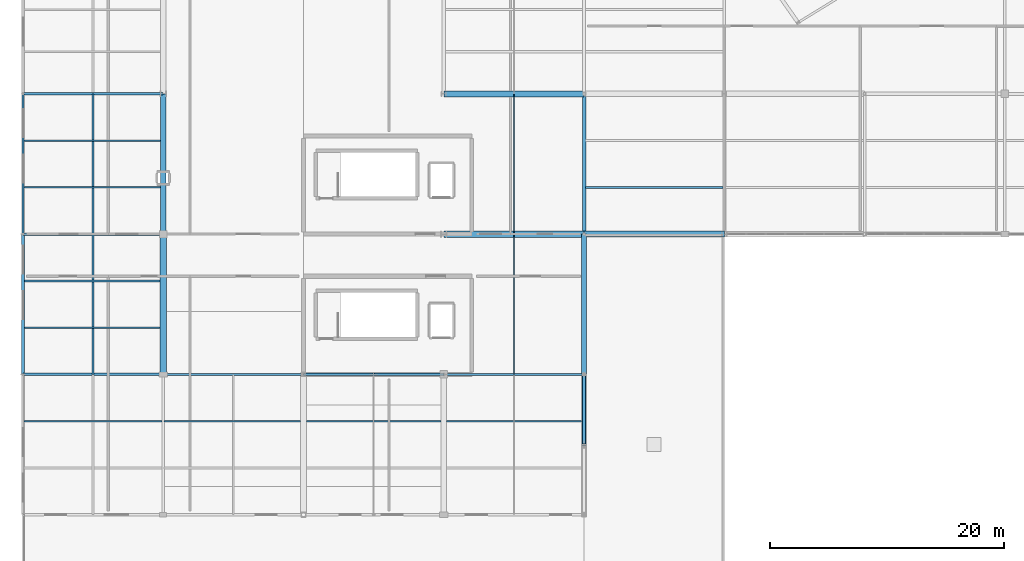
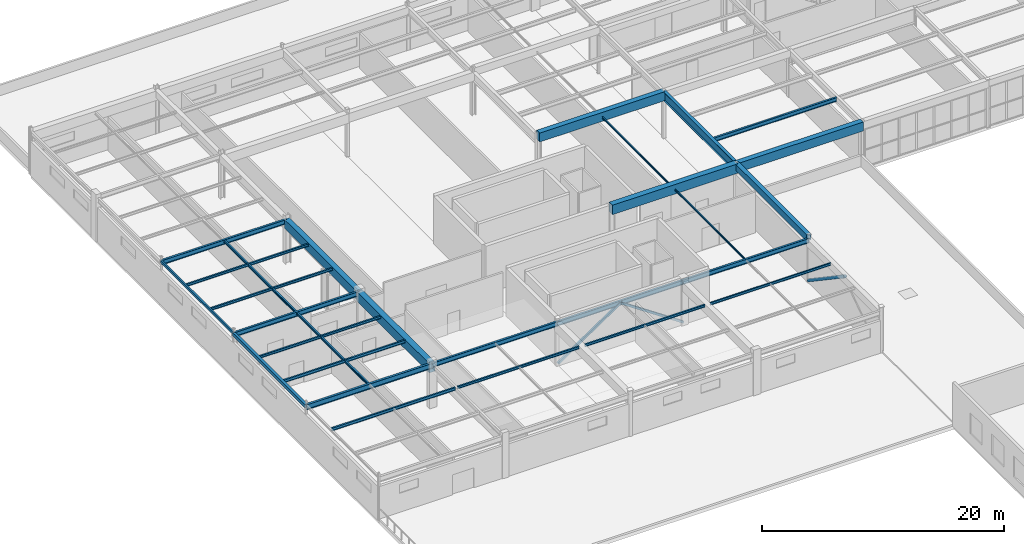
# One storey, part 70 of 186: 24 beams, 7 members.
"""IFC4 building model written with IfcOpenShell, lengths in metres."""

from ifc_helpers import new_model, si_unit, direction, frame, origin, origin_2d, place, context, subcontext, project, spatial, rectangle, hollow_rectangle, hollow_circle, i_section, extrude, material, material_profile, profile_set, type_object, element, save


model = new_model("IFC4")

# Units and contexts
model_context = context("Model", 3, precision=1e-05, world=origin(), true_north=direction((0.0, 1.0)))
body_context = subcontext(model_context, "Body", "Model", "MODEL_VIEW")
ifc_project = project(units=[si_unit("LENGTHUNIT", "METRE"), si_unit("AREAUNIT", "SQUARE_METRE"), si_unit("VOLUMEUNIT", "CUBIC_METRE"), si_unit("PLANEANGLEUNIT", "RADIAN"), si_unit("MASSUNIT", "GRAM", prefix="KILO")], contexts=[model_context])

# Site, building, storey
site_placement = place(None, origin())
site = spatial("IfcSite", under=ifc_project, at=site_placement, CompositionType="ELEMENT")
building_placement = place(site_placement, origin())
building = spatial("IfcBuilding", under=site, at=building_placement, Name="Tarnwether General Hospital", CompositionType="ELEMENT")
storey_placement = place(building_placement, frame((0.0, 0.0, 9.60009765625)))
storey = spatial("IfcBuildingStorey", under=building, at=storey_placement, Name="L02", CompositionType="ELEMENT", Elevation=9.60009765625)

# Beams
ifc_material_1 = material(Name="Steel Grade 350 (350 MPa)", Category="steel")
ifc_material_profile_1 = material_profile(ifc_material_1, i_section(OverallWidth=0.300048828125, OverallDepth=0.89990234375, WebThickness=0.011962890625, FlangeThickness=0.02001953125, at=origin_2d()), Name="900WB175")
ifc_profile_set_1 = profile_set([ifc_material_profile_1], Name="Steel Grade 350 (350 MPa)")
beam_type_1 = type_object("IfcBeamType", Name="BM-G01", PredefinedType="BEAM", material=ifc_profile_set_1)
beam_1_placement = place(storey_placement, frame((48.0, 81.60009765625, 4.349853515625), z_axis=(0.0, 1.0, 0.0), x_axis=(-1.0, 0.0, 0.0)))
element("IfcBeam", 1, at=beam_1_placement, inside=storey, type_object=beam_type_1, Name="Primary Girder BMG-L02-4800_8160-4800_9360-1479", PredefinedType="BEAM", context=body_context, shape_type="SweptSolid", body=[
    extrude(i_section(OverallWidth=0.300048828125, OverallDepth=0.89990234375, WebThickness=0.011962890625, FlangeThickness=0.02001953125, at=origin_2d()), origin(), (0.0, 0.0, 1.0), 12.0),
])
ifc_material_2 = material(Name="Steel Grade 350 (350 MPa)", Category="steel")
ifc_material_profile_2 = material_profile(ifc_material_2, i_section(OverallWidth=0.208984375, OverallDepth=0.528076171875, WebThickness=0.009521484375, FlangeThickness=0.01318359375, at=origin_2d()), Name="530UB82.0")
ifc_profile_set_2 = profile_set([ifc_material_profile_2], Name="Steel Grade 350 (350 MPa)")
beam_type_2 = type_object("IfcBeamType", Name="BM-G07", PredefinedType="BEAM", material=ifc_profile_set_2)
beam_2_placement = place(storey_placement, frame((0.0, 69.60009765625, 4.166015625), z_axis=(1.0, 0.0, 0.0), x_axis=(0.0, 1.0, 0.0)))
element("IfcBeam", 2, at=beam_2_placement, inside=storey, type_object=beam_type_2, Name="Primary Girder BMG-L02-0_6960-1200_6960-1443", PredefinedType="BEAM", context=body_context, shape_type="SweptSolid", body=[
    extrude(i_section(OverallWidth=0.208984375, OverallDepth=0.528076171875, WebThickness=0.009521484375, FlangeThickness=0.01318359375, at=origin_2d()), origin(), (0.0, 0.0, 1.0), 12.0),
])
ifc_material_3 = material(Name="Steel Grade 350 (350 MPa)", Category="steel")
ifc_material_profile_3 = material_profile(ifc_material_3, i_section(OverallWidth=0.19091796875, OverallDepth=0.4599609375, WebThickness=0.010009765625, FlangeThickness=0.01611328125, at=origin_2d()), Name="460UB82.1")
ifc_profile_set_3 = profile_set([ifc_material_profile_3], Name="Steel Grade 350 (350 MPa)")
beam_type_3 = type_object("IfcBeamType", Name="BM-G08", PredefinedType="BEAM", material=ifc_profile_set_3)
for number, where, z_axis, x_axis, name in (
    (3, (0.0, 81.60009765625, 4.199951171875), (1.0, 0.0, 0.0), (0.0, 1.0, 0.0), "Primary Girder BMG-L02-0_8160-1200_8160-1445"),
    (4, (12.0, 69.60009765625, 4.199951171875), (1.0, 0.0, 0.0), (0.0, 1.0, 0.0), "Primary Girder BMG-L02-1200_6960-2400_6960-1454"),
):
    element("IfcBeam", number, at=place(storey_placement, frame(where, z_axis=z_axis, x_axis=x_axis)), inside=storey, type_object=beam_type_3, Name=name, PredefinedType="BEAM", context=body_context, shape_type="SweptSolid", body=[
        extrude(i_section(OverallWidth=0.19091796875, OverallDepth=0.4599609375, WebThickness=0.010009765625, FlangeThickness=0.01611328125, at=origin_2d()), origin(), (0.0, 0.0, 1.0), 12.0),
    ])
ifc_material_4 = material(Name="Steel Grade 350 (350 MPa)", Category="steel")
ifc_material_profile_4 = material_profile(ifc_material_4, i_section(OverallWidth=0.18994140625, OverallDepth=0.45703125, WebThickness=0.009033203125, FlangeThickness=0.014404296875, at=origin_2d()), Name="460UB74.6")
ifc_profile_set_4 = profile_set([ifc_material_profile_4], Name="Steel Grade 350 (350 MPa)")
beam_type_4 = type_object("IfcBeamType", Name="BM-G09", PredefinedType="BEAM", material=ifc_profile_set_4)
for number, where, z_axis, x_axis, name in (
    (5, (0.0, 93.60009765625, 4.201416015625), (1.0, 0.0, 0.0), (0.0, 1.0, 0.0), "Primary Girder BMG-L02-0_9360-1200_9360-1447"),
    (6, (24.0, 69.60009765625, 4.201416015625), (1.0, 0.0, 0.0), (0.0, 1.0, 0.0), "Primary Girder BMG-L02-2400_6960-3600_6960-1463"),
):
    element("IfcBeam", number, at=place(storey_placement, frame(where, z_axis=z_axis, x_axis=x_axis)), inside=storey, type_object=beam_type_4, Name=name, PredefinedType="BEAM", context=body_context, shape_type="SweptSolid", body=[
        extrude(i_section(OverallWidth=0.18994140625, OverallDepth=0.45703125, WebThickness=0.009033203125, FlangeThickness=0.014404296875, at=origin_2d()), origin(), (0.0, 0.0, 1.0), 12.0),
    ])
ifc_material_5 = material(Name="Steel Grade 350 (350 MPa)", Category="steel")
ifc_material_profile_5 = material_profile(ifc_material_5, i_section(OverallWidth=0.18994140625, OverallDepth=0.4541015625, WebThickness=0.008544921875, FlangeThickness=0.0126953125, at=origin_2d()), Name="460UB67.1")
ifc_profile_set_5 = profile_set([ifc_material_profile_5], Name="Steel Grade 350 (350 MPa)")
beam_type_5 = type_object("IfcBeamType", Name="BM-G10", PredefinedType="BEAM", material=ifc_profile_set_5)
beam_3_placement = place(storey_placement, frame((36.0, 69.60009765625, 4.202880859375), z_axis=(1.0, 0.0, 0.0), x_axis=(0.0, 1.0, 0.0)))
element("IfcBeam", 7, at=beam_3_placement, inside=storey, type_object=beam_type_5, Name="Primary Girder BMG-L02-3600_6960-4800_6960-1469", PredefinedType="BEAM", context=body_context, shape_type="SweptSolid", body=[
    extrude(i_section(OverallWidth=0.18994140625, OverallDepth=0.4541015625, WebThickness=0.008544921875, FlangeThickness=0.0126953125, at=origin_2d()), origin(), (0.0, 0.0, 1.0), 12.0),
])
ifc_material_6 = material(Name="Concrete 40 MPa", Category="concrete")
ifc_material_profile_6 = material_profile(ifc_material_6, rectangle(XDim=0.550048828125, YDim=0.949951171875, at=origin_2d()), Name="RC-BM-550x950")
ifc_profile_set_6 = profile_set([ifc_material_profile_6], Name="Concrete 40 MPa")
beam_type_6 = type_object("IfcBeamType", Name="BM-G11", PredefinedType="BEAM", material=ifc_profile_set_6)
for number, where, z_axis, x_axis, name in (
    (8, (12.0, 69.60009765625, 3.954833984375), (0.0, 1.0, 0.0), (-1.0, 0.0, 0.0), "Primary Girder BMG-L02-1200_6960-1200_8160-1455"),
    (9, (36.0, 81.60009765625, 4.324951171875), (1.0, 0.0, 0.0), (0.0, 1.0, 0.0), "Primary Girder BMG-L02-3600_8160-4800_8160-1470"),
):
    element("IfcBeam", number, at=place(storey_placement, frame(where, z_axis=z_axis, x_axis=x_axis)), inside=storey, type_object=beam_type_6, Name=name, PredefinedType="BEAM", context=body_context, shape_type="SweptSolid", body=[
        extrude(rectangle(XDim=0.550048828125, YDim=0.949951171875, at=origin_2d()), origin(), (0.0, 0.0, 1.0), 12.0),
    ])
ifc_material_7 = material(Name="Concrete 40 MPa", Category="concrete")
ifc_material_profile_7 = material_profile(ifc_material_7, rectangle(XDim=0.5, YDim=0.89990234375, at=origin_2d()), Name="RC-BM-500x900")
ifc_profile_set_7 = profile_set([ifc_material_profile_7], Name="Concrete 40 MPa")
beam_type_7 = type_object("IfcBeamType", Name="BM-G12", PredefinedType="BEAM", material=ifc_profile_set_7)
for number, where, z_axis, x_axis, name in (
    (10, (12.0, 81.60009765625, 3.97998046875), (0.0, 1.0, 0.0), (-1.0, 0.0, 0.0), "Primary Girder BMG-L02-1200_8160-1200_9360-1456"),
    (11, (36.0, 93.60009765625, 4.349853515625), (1.0, 0.0, 0.0), (0.0, 1.0, 0.0), "Primary Girder BMG-L02-3600_9360-4800_9360-1471"),
    (12, (48.0, 81.60009765625, 4.349853515625), (1.0, 0.0, 0.0), (0.0, 1.0, 0.0), "Primary Girder BMG-L02-4800_8160-6000_8160-1478"),
):
    element("IfcBeam", number, at=place(storey_placement, frame(where, z_axis=z_axis, x_axis=x_axis)), inside=storey, type_object=beam_type_7, Name=name, PredefinedType="BEAM", context=body_context, shape_type="SweptSolid", body=[
        extrude(rectangle(XDim=0.5, YDim=0.89990234375, at=origin_2d()), origin(), (0.0, 0.0, 1.0), 12.0),
    ])
ifc_material_8 = material(Name="Concrete 40 MPa", Category="concrete")
ifc_material_profile_8 = material_profile(ifc_material_8, rectangle(XDim=0.39990234375, YDim=0.64990234375, at=origin_2d()), Name="RC-BM-400x650")
ifc_profile_set_8 = profile_set([ifc_material_profile_8], Name="Concrete 40 MPa")
beam_type_8 = type_object("IfcBeamType", Name="BM-G14", PredefinedType="BEAM", material=ifc_profile_set_8)
beam_4_placement = place(storey_placement, frame((48.0, 69.60009765625, 4.474853515625), z_axis=(0.0, 1.0, 0.0), x_axis=(-1.0, 0.0, 0.0)))
element("IfcBeam", 13, at=beam_4_placement, inside=storey, type_object=beam_type_8, Name="Primary Girder BMG-L02-4800_6960-4800_8160-1477", PredefinedType="BEAM", context=body_context, shape_type="SweptSolid", body=[
    extrude(rectangle(XDim=0.39990234375, YDim=0.64990234375, at=origin_2d()), origin(), (0.0, 0.0, 1.0), 12.0),
])
ifc_material_9 = material(Name="Steel Grade 350 (350 MPa)", Category="steel")
ifc_material_profile_9 = material_profile(ifc_material_9, i_section(OverallWidth=0.177978515625, OverallDepth=0.406005859375, WebThickness=0.0078125, FlangeThickness=0.0126953125, at=origin_2d()), Name="410UB59.7")
ifc_profile_set_9 = profile_set([ifc_material_profile_9], Name="Steel Grade 350 (350 MPa)")
beam_type_9 = type_object("IfcBeamType", Name="BM-J01", PredefinedType="JOIST", material=ifc_profile_set_9)
beam_5_placement = place(storey_placement, frame((48.14404296875, 85.60009765625, 4.596923828125), z_axis=(1.0, 0.0, 0.0), x_axis=(0.0, 1.0, 0.0)))
element("IfcBeam", 14, at=beam_5_placement, inside=storey, type_object=beam_type_9, Name="Composite Floor Joist BMG-L02-4814_8560-5988_8560-1672", PredefinedType="JOIST", context=body_context, shape_type="SweptSolid", body=[
    extrude(i_section(OverallWidth=0.177978515625, OverallDepth=0.406005859375, WebThickness=0.0078125, FlangeThickness=0.0126953125, at=origin_2d()), origin(), (0.0, 0.0, 1.0), 11.737060546875),
])
ifc_material_10 = material(Name="Steel Grade 350 (350 MPa)", Category="steel")
ifc_material_profile_10 = material_profile(ifc_material_10, i_section(OverallWidth=0.14892578125, OverallDepth=0.298095703125, WebThickness=0.005615234375, FlangeThickness=0.008056640625, at=origin_2d()), Name="310UB32.0")
ifc_profile_set_10 = profile_set([ifc_material_profile_10], Name="Steel Grade 350 (350 MPa)")
beam_type_10 = type_object("IfcBeamType", Name="BM-J08", PredefinedType="JOIST", material=ifc_profile_set_10)
beam_6_placement = place(storey_placement, frame((0.080078125, 65.60009765625, 4.281005859375), z_axis=(1.0, 0.0, 0.0), x_axis=(0.0, 1.0, 0.0)))
element("IfcBeam", 15, at=beam_6_placement, inside=storey, type_object=beam_type_10, Name="Composite Floor Joist BMG-L02-8_6560-1191_6560-1649", PredefinedType="JOIST", context=body_context, shape_type="SweptSolid", body=[
    extrude(i_section(OverallWidth=0.14892578125, OverallDepth=0.298095703125, WebThickness=0.005615234375, FlangeThickness=0.008056640625, at=origin_2d()), origin(), (0.0, 0.0, 1.0), 11.830810546875),
])
beam_7_placement = place(storey_placement, frame((0.118896484375, 73.60009765625, 4.281005859375), z_axis=(1.0, 0.0, 0.0), x_axis=(0.0, 1.0, 0.0)))
element("IfcBeam", 16, at=beam_7_placement, inside=storey, type_object=beam_type_10, Name="Composite Floor Joist BMG-L02-12_7360-1173_7360-1650", PredefinedType="JOIST", context=body_context, shape_type="SweptSolid", body=[
    extrude(i_section(OverallWidth=0.14892578125, OverallDepth=0.298095703125, WebThickness=0.005615234375, FlangeThickness=0.008056640625, at=origin_2d()), origin(), (0.0, 0.0, 1.0), 11.612060546875),
])
ifc_material_11 = material(Name="Steel Grade 350 (350 MPa)", Category="steel")
ifc_material_profile_11 = material_profile(ifc_material_11, i_section(OverallWidth=0.14599609375, OverallDepth=0.256103515625, WebThickness=0.00634765625, FlangeThickness=0.010986328125, at=origin_2d()), Name="250UB37.3")
ifc_profile_set_11 = profile_set([ifc_material_profile_11], Name="Steel Grade 350 (350 MPa)")
beam_type_11 = type_object("IfcBeamType", Name="BM-J09", PredefinedType="JOIST", material=ifc_profile_set_11)
beam_8_placement = place(storey_placement, frame((0.118896484375, 77.60009765625, 4.302001953125), z_axis=(1.0, 0.0, 0.0), x_axis=(0.0, 1.0, 0.0)))
element("IfcBeam", 17, at=beam_8_placement, inside=storey, type_object=beam_type_11, Name="Composite Floor Joist BMG-L02-12_7760-1173_7760-1651", PredefinedType="JOIST", context=body_context, shape_type="SweptSolid", body=[
    extrude(i_section(OverallWidth=0.14599609375, OverallDepth=0.256103515625, WebThickness=0.00634765625, FlangeThickness=0.010986328125, at=origin_2d()), origin(), (0.0, 0.0, 1.0), 11.612060546875),
])
beam_9_placement = place(storey_placement, frame((0.080078125, 85.60009765625, 4.302001953125), z_axis=(1.0, 0.0, 0.0), x_axis=(0.0, 1.0, 0.0)))
element("IfcBeam", 18, at=beam_9_placement, inside=storey, type_object=beam_type_11, Name="Composite Floor Joist BMG-L02-8_8560-1176_8560-1652", PredefinedType="JOIST", context=body_context, shape_type="SweptSolid", body=[
    extrude(i_section(OverallWidth=0.14599609375, OverallDepth=0.256103515625, WebThickness=0.00634765625, FlangeThickness=0.010986328125, at=origin_2d()), origin(), (0.0, 0.0, 1.0), 11.676025390625),
])
beam_10_placement = place(storey_placement, frame((12.089111328125, 65.60009765625, 4.302001953125), z_axis=(1.0, 0.0, 0.0), x_axis=(0.0, 1.0, 0.0)))
element("IfcBeam", 19, at=beam_10_placement, inside=storey, type_object=beam_type_11, Name="Composite Floor Joist BMG-L02-1209_6560-2373_6560-1659", PredefinedType="JOIST", context=body_context, shape_type="SweptSolid", body=[
    extrude(i_section(OverallWidth=0.14599609375, OverallDepth=0.256103515625, WebThickness=0.00634765625, FlangeThickness=0.010986328125, at=origin_2d()), origin(), (0.0, 0.0, 1.0), 11.641845703125),
])
ifc_material_12 = material(Name="Steel Grade 350 (350 MPa)", Category="steel")
ifc_material_profile_12 = material_profile(ifc_material_12, i_section(OverallWidth=0.14599609375, OverallDepth=0.251953125, WebThickness=0.006103515625, FlangeThickness=0.008544921875, at=origin_2d()), Name="250UB31.4")
ifc_profile_set_12 = profile_set([ifc_material_profile_12], Name="Steel Grade 350 (350 MPa)")
beam_type_12 = type_object("IfcBeamType", Name="BM-J10", PredefinedType="JOIST", material=ifc_profile_set_12)
beam_11_placement = place(storey_placement, frame((0.080078125, 89.60009765625, 4.303955078125), z_axis=(1.0, 0.0, 0.0), x_axis=(0.0, 1.0, 0.0)))
element("IfcBeam", 20, at=beam_11_placement, inside=storey, type_object=beam_type_12, Name="Composite Floor Joist BMG-L02-8_8960-1176_8960-1653", PredefinedType="JOIST", context=body_context, shape_type="SweptSolid", body=[
    extrude(i_section(OverallWidth=0.14599609375, OverallDepth=0.251953125, WebThickness=0.006103515625, FlangeThickness=0.008544921875, at=origin_2d()), origin(), (0.0, 0.0, 1.0), 11.676025390625),
])
beam_12_placement = place(storey_placement, frame((24.26904296875, 65.60009765625, 4.303955078125), z_axis=(1.0, 0.0, 0.0), x_axis=(0.0, 1.0, 0.0)))
element("IfcBeam", 21, at=beam_12_placement, inside=storey, type_object=beam_type_12, Name="Composite Floor Joist BMG-L02-2427_6560-3576_6560-1663", PredefinedType="JOIST", context=body_context, shape_type="SweptSolid", body=[
    extrude(i_section(OverallWidth=0.14599609375, OverallDepth=0.251953125, WebThickness=0.006103515625, FlangeThickness=0.008544921875, at=origin_2d()), origin(), (0.0, 0.0, 1.0), 11.487060546875),
])
ifc_material_13 = material(Name="Steel Grade 350 (350 MPa)", Category="steel")
ifc_material_profile_13 = material_profile(ifc_material_13, i_section(OverallWidth=0.1240234375, OverallDepth=0.248046875, WebThickness=0.0048828125, FlangeThickness=0.008056640625, at=origin_2d()), Name="250UB25.7")
ifc_profile_set_13 = profile_set([ifc_material_profile_13], Name="Steel Grade 350 (350 MPa)")
beam_type_13 = type_object("IfcBeamType", Name="BM-J11", PredefinedType="JOIST", material=ifc_profile_set_13)
beam_13_placement = place(storey_placement, frame((36.243896484375, 65.60009765625, 4.305908203125), z_axis=(1.0, 0.0, 0.0), x_axis=(0.0, 1.0, 0.0)))
element("IfcBeam", 22, at=beam_13_placement, inside=storey, type_object=beam_type_13, Name="Composite Floor Joist BMG-L02-3624_6560-4778_6560-1667", PredefinedType="JOIST", context=body_context, shape_type="SweptSolid", body=[
    extrude(i_section(OverallWidth=0.1240234375, OverallDepth=0.248046875, WebThickness=0.0048828125, FlangeThickness=0.008056640625, at=origin_2d()), origin(), (0.0, 0.0, 1.0), 11.537109375),
])
ifc_material_14 = material(Name="Steel Grade C350L0 (350 MPa)", Category="steel")
ifc_material_profile_14 = material_profile(ifc_material_14, hollow_rectangle(XDim=0.25, YDim=0.35009765625, WallThickness=0.012451171875, at=origin_2d()), Name="RHS350x250x12.5")
ifc_profile_set_14 = profile_set([ifc_material_profile_14], Name="Steel Grade C350L0 (350 MPa)")
beam_type_14 = type_object("IfcBeamType", Name="BM-SP7", PredefinedType="SPANDREL", material=ifc_profile_set_14)
beam_14_placement = place(storey_placement, frame((0.0, 69.60009765625, 4.2548828125), z_axis=(0.0, 1.0, 0.0), x_axis=(-1.0, 0.0, 0.0)))
element("IfcBeam", 23, at=beam_14_placement, inside=storey, type_object=beam_type_14, Name="Primary Girder BMG-L02-0_6960-0_8160-1444", PredefinedType="SPANDREL", context=body_context, shape_type="SweptSolid", body=[
    extrude(hollow_rectangle(XDim=0.25, YDim=0.35009765625, WallThickness=0.012451171875, at=origin_2d()), origin(), (0.0, 0.0, 1.0), 12.0),
])
ifc_material_15 = material(Name="Steel Grade C350L0 (350 MPa)", Category="steel")
ifc_material_profile_15 = material_profile(ifc_material_15, hollow_rectangle(XDim=0.14990234375, YDim=0.25, WallThickness=0.008056640625, at=origin_2d()), Name="RHS250x150x8")
ifc_profile_set_15 = profile_set([ifc_material_profile_15], Name="Steel Grade C350L0 (350 MPa)")
beam_type_15 = type_object("IfcBeamType", Name="BM-SP8", PredefinedType="SPANDREL", material=ifc_profile_set_15)
beam_15_placement = place(storey_placement, frame((0.0, 81.60009765625, 4.304931640625), z_axis=(0.0, 1.0, 0.0), x_axis=(-1.0, 0.0, 0.0)))
element("IfcBeam", 24, at=beam_15_placement, inside=storey, type_object=beam_type_15, Name="Primary Girder BMG-L02-0_8160-0_9360-1446", PredefinedType="SPANDREL", context=body_context, shape_type="SweptSolid", body=[
    extrude(hollow_rectangle(XDim=0.14990234375, YDim=0.25, WallThickness=0.008056640625, at=origin_2d()), origin(), (0.0, 0.0, 1.0), 12.0),
])

# Members
ifc_material_16 = material(Name="Steel Grade C350L0 (350 MPa)", Category="steel")
ifc_material_profile_16 = material_profile(ifc_material_16, hollow_circle(Radius=0.161865234375, WallThickness=0.0126953125, at=origin_2d()), Name="CHS323.9x12.7")
ifc_profile_set_16 = profile_set([ifc_material_profile_16], Name="Steel Grade C350L0 (350 MPa)")
member_type_1 = type_object("IfcMemberType", Name="MB-BR1", PredefinedType="BRACE", material=ifc_profile_set_16)
member_placement = place(storey_placement, frame((48.0, 69.60009765625, 0.139892578125), z_axis=(0.0, -0.828845546207, 0.559477488852), x_axis=(1.0, 0.0, 0.0)))
element("IfcMember", 25, at=member_placement, inside=storey, type_object=member_type_1, Name="Braced Frame Diagonal 022", PredefinedType="BRACE", context=body_context, shape_type="SweptSolid", body=[
    extrude(hollow_circle(Radius=0.161865234375, WallThickness=0.0126953125, at=origin_2d()), origin(), (0.0, 0.0, 1.0), 7.239013671875),
])
ifc_material_17 = material(Name="Steel Grade C350L0 (350 MPa)", Category="steel")
ifc_material_profile_17 = material_profile(ifc_material_17, hollow_rectangle(XDim=0.199951171875, YDim=0.199951171875, WallThickness=0.010009765625, at=origin_2d()), Name="SHS200x200x10")
ifc_profile_set_17 = profile_set([ifc_material_profile_17], Name="Steel Grade C350L0 (350 MPa)")
member_type_2 = type_object("IfcMemberType", Name="MB-BR8", PredefinedType="BRACE", material=ifc_profile_set_17)
for number, where, z_axis, x_axis, name in (
    (26, (24.0, 69.60009765625, 0.139892578125), (0.828845546207, 0.0, 0.559477488852), (0.0, 1.0, 0.0), "Braced Frame Diagonal 019"),
    (27, (36.0, 69.60009765625, 0.139892578125), (-0.828845546207, 0.0, 0.559477488852), (0.0, -1.0, 0.0), "Braced Frame Diagonal 020"),
):
    element("IfcMember", number, at=place(storey_placement, frame(where, z_axis=z_axis, x_axis=x_axis)), inside=storey, type_object=member_type_2, Name=name, PredefinedType="BRACE", context=body_context, shape_type="SweptSolid", body=[
        extrude(hollow_rectangle(XDim=0.199951171875, YDim=0.199951171875, WallThickness=0.010009765625, at=origin_2d()), origin(), (0.0, 0.0, 1.0), 7.239013671875),
    ])
ifc_material_18 = material(Name="Steel Grade 350 (350 MPa)", Category="steel")
ifc_material_profile_18 = material_profile(ifc_material_18, i_section(OverallWidth=0.14599609375, OverallDepth=0.256103515625, WebThickness=0.00634765625, FlangeThickness=0.010986328125, at=origin_2d()), Name="250UB37.3")
ifc_profile_set_18 = profile_set([ifc_material_profile_18], Name="Steel Grade 350 (350 MPa)")
member_type_3 = type_object("IfcMemberType", Name="MB-PR1", PredefinedType="PURLIN", material=ifc_profile_set_18)
for number, where, z_axis, x_axis, name in (
    (28, (6.0, 69.60009765625, 4.27978515625), (0.0, 1.0, 0.0), (-1.0, 0.0, 0.0), "Operating Suite Ceiling Purlin 018"),
    (29, (6.0, 81.60009765625, 4.27978515625), (0.0, 1.0, 0.0), (-1.0, 0.0, 0.0), "Operating Suite Ceiling Purlin 019"),
):
    element("IfcMember", number, at=place(storey_placement, frame(where, z_axis=z_axis, x_axis=x_axis)), inside=storey, type_object=member_type_3, Name=name, PredefinedType="PURLIN", context=body_context, shape_type="SweptSolid", body=[
        extrude(i_section(OverallWidth=0.14599609375, OverallDepth=0.256103515625, WebThickness=0.00634765625, FlangeThickness=0.010986328125, at=origin_2d()), origin(), (0.0, 0.0, 1.0), 12.0),
    ])
ifc_material_19 = material(Name="Steel Grade 350 (350 MPa)", Category="steel")
ifc_material_profile_19 = material_profile(ifc_material_19, i_section(OverallWidth=0.090087890625, OverallDepth=0.178955078125, WebThickness=0.006103515625, FlangeThickness=0.010986328125, at=origin_2d()), Name="180UB22.2")
ifc_profile_set_19 = profile_set([ifc_material_profile_19], Name="Steel Grade 350 (350 MPa)")
member_type_4 = type_object("IfcMemberType", Name="MB-PR4", PredefinedType="PURLIN", material=ifc_profile_set_19)
for number, where, z_axis, x_axis, name in (
    (30, (42.0, 69.60009765625, 4.27978515625), (0.0, 1.0, 0.0), (-1.0, 0.0, 0.0), "Operating Suite Ceiling Purlin 024"),
    (31, (42.0, 81.60009765625, 4.27978515625), (0.0, 1.0, 0.0), (-1.0, 0.0, 0.0), "Operating Suite Ceiling Purlin 025"),
):
    element("IfcMember", number, at=place(storey_placement, frame(where, z_axis=z_axis, x_axis=x_axis)), inside=storey, type_object=member_type_4, Name=name, PredefinedType="PURLIN", context=body_context, shape_type="SweptSolid", body=[
        extrude(i_section(OverallWidth=0.090087890625, OverallDepth=0.178955078125, WebThickness=0.006103515625, FlangeThickness=0.010986328125, at=origin_2d()), origin(), (0.0, 0.0, 1.0), 12.0),
    ])

save(model, "model.ifc")
